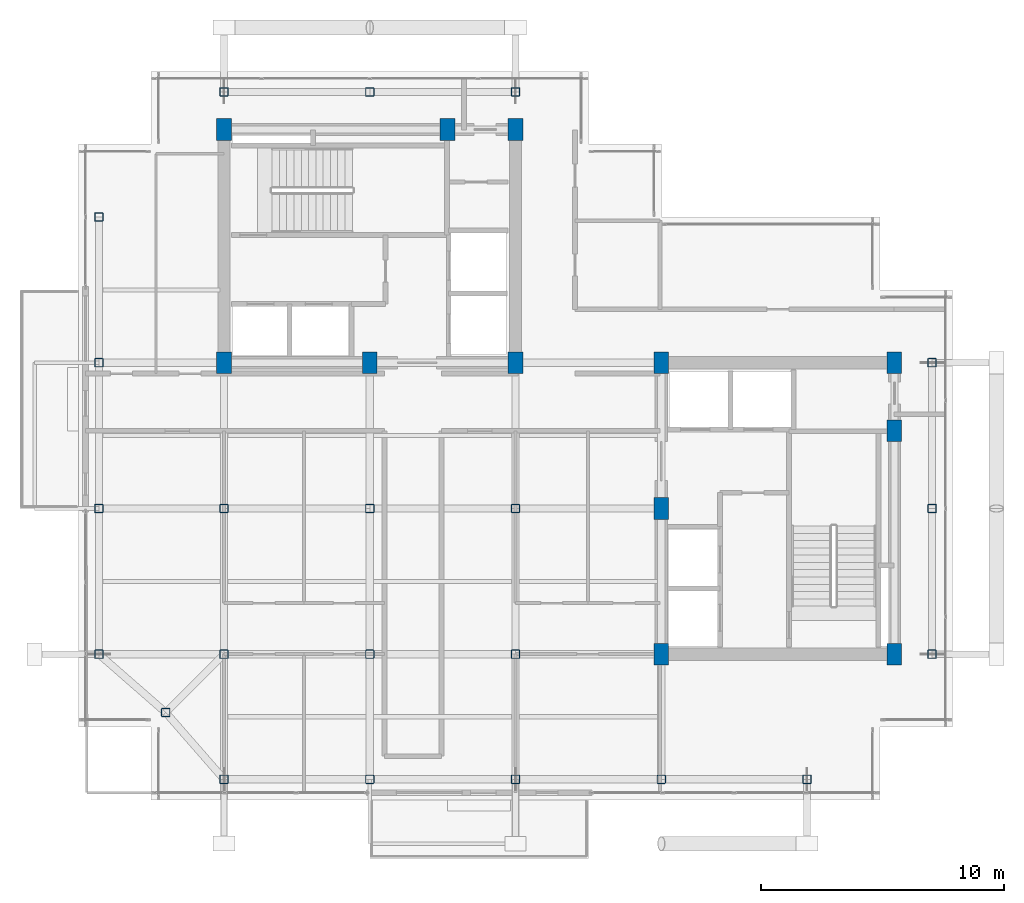
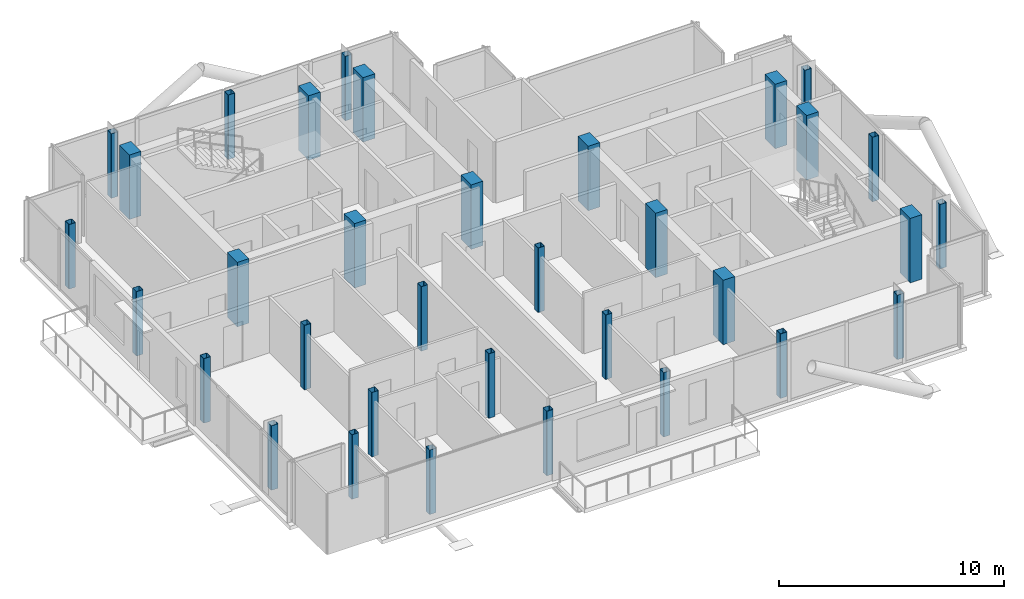
# One storey, part 1 of 18: 34 columns.
"""IFC4 building model written with IfcOpenShell, lengths in metres."""

from ifc_helpers import new_model, si_unit, direction, frame, origin, origin_2d, place, context, subcontext, project, spatial, rectangle, hollow_rectangle, extrude, material, material_profile, profile_set, type_object, element, save


model = new_model("IFC4")

# Units and contexts
model_context = context("Model", 3, precision=1e-05, world=origin(), true_north=direction((0.0, 1.0)))
body_context = subcontext(model_context, "Body", "Model", "MODEL_VIEW")
ifc_project = project(units=[si_unit("LENGTHUNIT", "METRE"), si_unit("AREAUNIT", "SQUARE_METRE"), si_unit("VOLUMEUNIT", "CUBIC_METRE"), si_unit("PLANEANGLEUNIT", "RADIAN"), si_unit("MASSUNIT", "GRAM", prefix="KILO"), si_unit("THERMODYNAMICTEMPERATUREUNIT", "KELVIN"), si_unit("POWERUNIT", "WATT")], contexts=[model_context])

# Site, building, storey
site_placement = place(None, origin())
site = spatial("IfcSite", under=ifc_project, at=site_placement, CompositionType="ELEMENT")
building_placement = place(site_placement, origin())
building = spatial("IfcBuilding", under=site, at=building_placement, Name="Svarakhadi Broadcast Tower", CompositionType="ELEMENT")
storey_placement = place(building_placement, frame((0.0, 0.0, 250.199951171875)))
storey = spatial("IfcBuildingStorey", under=building, at=storey_placement, Name="L62", CompositionType="ELEMENT", Elevation=250.199951171875)

# Columns
ifc_material_1 = material(Name="Concrete C50/60 (IS 456 M60)", Category="concrete")
ifc_material_profile_1 = material_profile(ifc_material_1, rectangle(XDim=0.60009765625, YDim=0.89990234375, at=origin_2d()), Name="RC 600x900")
ifc_profile_set_1 = profile_set([ifc_material_profile_1], Name="Concrete C50/60 (IS 456 M60)")
column_type_1 = type_object("IfcColumnType", Name="Col_RC600", PredefinedType="COLUMN", material=ifc_profile_set_1)
for number, where, z_axis, x_axis, name in (
    (1, (6.0, 18.0, 0.0), (0.0, 0.0, 1.0), (1.0, 0.0, 0.0), "L62 Column CW1"),
    (2, (12.0, 18.0, 0.0), (0.0, 0.0, 1.0), (1.0, 0.0, 0.0), "L62 Column CW2"),
    (3, (18.0, 18.0, 0.0), (0.0, 0.0, 1.0), (1.0, 0.0, 0.0), "L62 Column CW3"),
    (4, (6.0, 27.60009765625, 0.0), (0.0, 0.0, 1.0), (1.0, 0.0, 0.0), "L62 Column CW4"),
    (5, (15.199951171875, 27.60009765625, 0.0), (0.0, 0.0, 1.0), (1.0, 0.0, 0.0), "L62 Column CW5"),
    (6, (18.0, 27.60009765625, 0.0), (0.0, 0.0, 1.0), (1.0, 0.0, 0.0), "L62 Column CW6"),
    (7, (24.0, 6.0, 0.0), (0.0, 0.0, 1.0), (1.0, 0.0, 0.0), "L62 Column CE1"),
    (8, (24.0, 12.0, 0.0), (0.0, 0.0, 1.0), (1.0, 0.0, 0.0), "L62 Column CE2"),
    (9, (24.0, 18.0, 0.0), (0.0, 0.0, 1.0), (1.0, 0.0, 0.0), "L62 Column CE3"),
    (10, (33.60009765625, 6.0, 0.0), (0.0, 0.0, 1.0), (1.0, 0.0, 0.0), "L62 Column CE4"),
    (11, (33.60009765625, 15.199951171875, 0.0), (0.0, 0.0, 1.0), (1.0, 0.0, 0.0), "L62 Column CE5"),
    (12, (33.60009765625, 18.0, 0.0), (0.0, 0.0, 1.0), (1.0, 0.0, 0.0), "L62 Column CE6"),
):
    element("IfcColumn", number, at=place(storey_placement, frame(where, z_axis=z_axis, x_axis=x_axis)), inside=storey, type_object=column_type_1, Name=name, PredefinedType="COLUMN", context=body_context, shape_type="SweptSolid", body=[
        extrude(rectangle(XDim=0.60009765625, YDim=0.89990234375, at=origin_2d()), origin(), (0.0, 0.0, 1.0), 3.5),
    ])
ifc_material_2 = material(Name="Steel S460ML (IS 2062 E450BR)", Category="steel")
ifc_material_profile_2 = material_profile(ifc_material_2, hollow_rectangle(XDim=0.35009765625, YDim=0.35009765625, WallThickness=0.01611328125, InnerFilletRadius=0.01611328125, OuterFilletRadius=0.031982421875, at=origin_2d()), Name="SHS 350x350x16")
ifc_profile_set_2 = profile_set([ifc_material_profile_2], Name="Steel S460ML (IS 2062 E450BR)")
column_type_2 = type_object("IfcColumnType", Name="Col_SHS350", PredefinedType="COLUMN", material=ifc_profile_set_2)
for number, where, z_axis, x_axis, name in (
    (13, (3.60009765625, 3.60009765625, 0.0), (0.0, 0.0, 1.0), (1.0, 0.0, 0.0), "L62 Column G01"),
    (14, (0.85009765625, 6.0, 0.0), (0.0, 0.0, 1.0), (1.0, 0.0, 0.0), "L62 Column G03"),
    (15, (0.85009765625, 12.0, 0.0), (0.0, 0.0, 1.0), (1.0, 0.0, 0.0), "L62 Column G04"),
    (16, (0.85009765625, 18.0, 0.0), (0.0, 0.0, 1.0), (1.0, 0.0, 0.0), "L62 Column G05"),
    (17, (0.85009765625, 24.0, 0.0), (0.0, 0.0, 1.0), (1.0, 0.0, 0.0), "L62 Column G06"),
    (18, (6.0, 0.85009765625, 0.0), (0.0, 0.0, 1.0), (1.0, 0.0, 0.0), "L62 Column G11"),
    (19, (6.0, 6.0, 0.0), (0.0, 0.0, 1.0), (1.0, 0.0, 0.0), "L62 Column G12"),
    (20, (6.0, 12.0, 0.0), (0.0, 0.0, 1.0), (1.0, 0.0, 0.0), "L62 Column G13"),
    (21, (6.0, 29.14990234375, 0.0), (0.0, 0.0, 1.0), (1.0, 0.0, 0.0), "L62 Column G14"),
    (22, (12.0, 0.85009765625, 0.0), (0.0, 0.0, 1.0), (1.0, 0.0, 0.0), "L62 Column G18"),
    (23, (12.0, 6.0, 0.0), (0.0, 0.0, 1.0), (1.0, 0.0, 0.0), "L62 Column G19"),
    (24, (12.0, 12.0, 0.0), (0.0, 0.0, 1.0), (1.0, 0.0, 0.0), "L62 Column G20"),
    (25, (12.0, 29.14990234375, 0.0), (0.0, 0.0, 1.0), (1.0, 0.0, 0.0), "L62 Column G21"),
    (26, (18.0, 0.85009765625, 0.0), (0.0, 0.0, 1.0), (1.0, 0.0, 0.0), "L62 Column G25"),
    (27, (18.0, 6.0, 0.0), (0.0, 0.0, 1.0), (1.0, 0.0, 0.0), "L62 Column G26"),
    (28, (18.0, 12.0, 0.0), (0.0, 0.0, 1.0), (1.0, 0.0, 0.0), "L62 Column G27"),
    (29, (18.0, 29.14990234375, 0.0), (0.0, 0.0, 1.0), (1.0, 0.0, 0.0), "L62 Column G28"),
    (30, (24.0, 0.85009765625, 0.0), (0.0, 0.0, 1.0), (1.0, 0.0, 0.0), "L62 Column G32"),
    (31, (30.0, 0.85009765625, 0.0), (0.0, 0.0, 1.0), (1.0, 0.0, 0.0), "L62 Column G36"),
    (32, (35.14990234375, 6.0, 0.0), (0.0, 0.0, 1.0), (1.0, 0.0, 0.0), "L62 Column G39"),
    (33, (35.14990234375, 12.0, 0.0), (0.0, 0.0, 1.0), (1.0, 0.0, 0.0), "L62 Column G40"),
    (34, (35.14990234375, 18.0, 0.0), (0.0, 0.0, 1.0), (1.0, 0.0, 0.0), "L62 Column G41"),
):
    element("IfcColumn", number, at=place(storey_placement, frame(where, z_axis=z_axis, x_axis=x_axis)), inside=storey, type_object=column_type_2, Name=name, PredefinedType="COLUMN", context=body_context, shape_type="SweptSolid", body=[
        extrude(hollow_rectangle(XDim=0.35009765625, YDim=0.35009765625, WallThickness=0.01611328125, InnerFilletRadius=0.01611328125, OuterFilletRadius=0.031982421875, at=origin_2d()), origin(), (0.0, 0.0, 1.0), 3.5),
    ])

save(model, "model.ifc")
